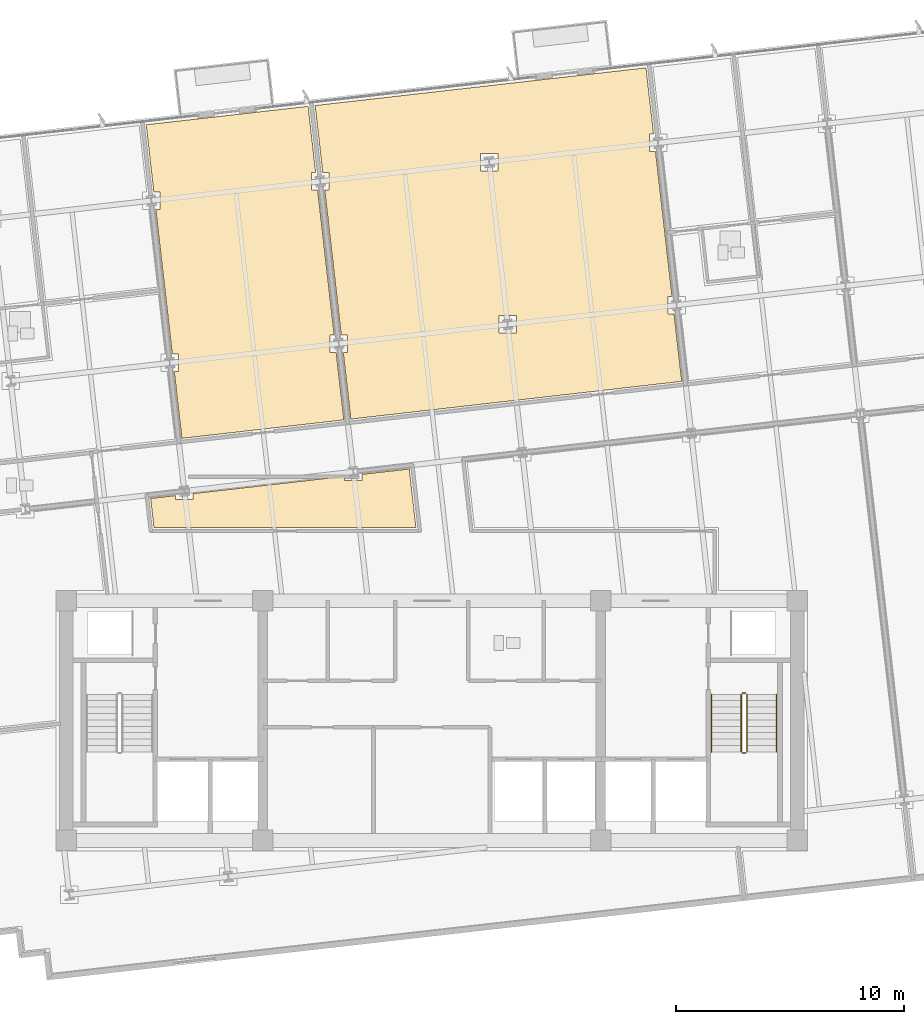
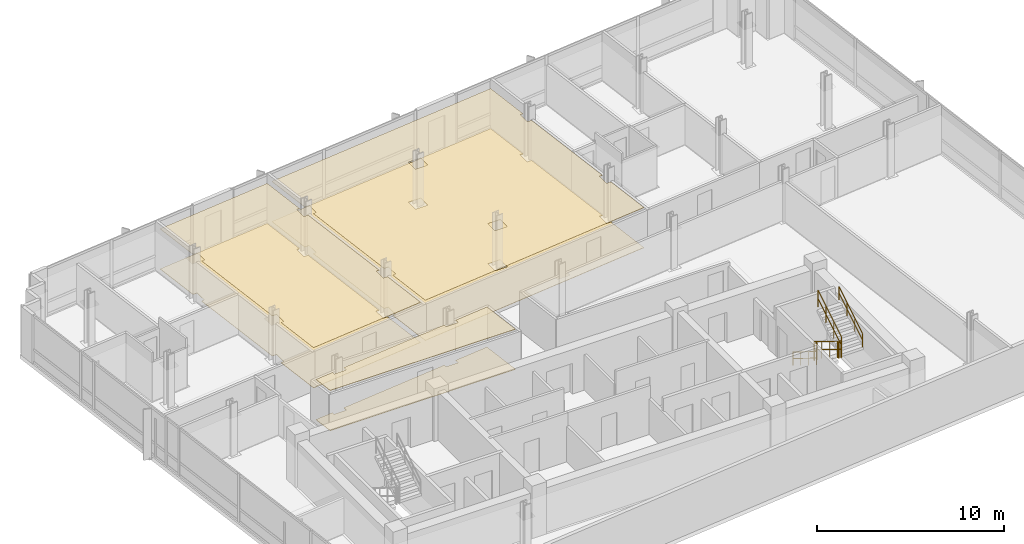
# One storey, part 13 of 15: 6 coverings, 6 railings.
"""IFC4 building model written with IfcOpenShell, lengths in metres."""

from ifc_helpers import new_model, si_unit, direction, frame, origin, origin_2d, place, context, subcontext, project, spatial, polyline, circle, outline, extrude, material, layer, layer_set, type_object, element, save


model = new_model("IFC4")

# Units and contexts
model_context = context("Model", 3, precision=1e-05, world=origin(), true_north=direction((0.0, 1.0)))
body_context = subcontext(model_context, "Body", "Model", "MODEL_VIEW")
ifc_project = project(units=[si_unit("LENGTHUNIT", "METRE"), si_unit("AREAUNIT", "SQUARE_METRE"), si_unit("VOLUMEUNIT", "CUBIC_METRE"), si_unit("PLANEANGLEUNIT", "RADIAN"), si_unit("MASSUNIT", "GRAM", prefix="KILO")], contexts=[model_context])

# Site, building, storey
site_placement = place(None, origin())
site = spatial("IfcSite", under=ifc_project, at=site_placement, CompositionType="ELEMENT")
building_placement = place(site_placement, origin())
building = spatial("IfcBuilding", under=site, at=building_placement, Name="Solmavex Isthmus Hotel", CompositionType="ELEMENT")
storey_placement = place(building_placement, frame((0.0, 0.0, 226.199951171875)))
storey = spatial("IfcBuildingStorey", under=building, at=storey_placement, Name="L61", CompositionType="ELEMENT", Elevation=226.199951171875)

# Coverings
ifc_material_1 = material(Name="Gypsum plasterboard lining", Category="gypsum")
ifc_layer_1 = layer(ifc_material_1, 0.030029296875)
ifc_layer_set_1 = layer_set([ifc_layer_1], Name="Gypsum plasterboard lining")
covering_type_1 = type_object("IfcCoveringType", Name="COV-CEIL-GYP", PredefinedType="CEILING", material=ifc_layer_set_1)
covering_1_placement = place(storey_placement, frame((0.0, 0.0, 2.6201171875)))
element("IfcCovering", 1, at=covering_1_placement, inside=storey, type_object=covering_type_1, Name="Suspended Acoustic Ceiling L61-RM02", PredefinedType="CEILING", context=body_context, shape_type="SweptSolid", body=[
    extrude(outline(polyline([(-11.360595703125, 8.29248046875), (-11.09326171875, 8.29248046875), (-11.09326171875, 7.532470703125), (-11.274169921875, 7.532470703125), (-10.94091796875, 4.6083984375), (-3.850830078125, 5.416259765625), (-4.18798828125, 8.375244140625), (-4.455322265625, 8.375244140625), (-4.455322265625, 9.13525390625), (-4.2744140625, 9.13525390625), (-4.99755859375, 15.481201171875), (-5.264892578125, 15.481201171875), (-5.264892578125, 16.2412109375), (-5.084228515625, 16.2412109375), (-5.415283203125, 19.1474609375), (-12.50537109375, 18.339599609375), (-12.17041015625, 15.3984375), (-11.903076171875, 15.3984375), (-11.903076171875, 14.638427734375), (-12.083740234375, 14.638427734375), (-11.763916015625, 11.832275390625), (-11.360595703125, 8.29248046875)])), origin(), (0.0, 0.0, 1.0), 0.030029296875),
])
covering_2_placement = place(storey_placement, frame((0.0, 0.0, 2.6201171875)))
element("IfcCovering", 2, at=covering_2_placement, inside=storey, type_object=covering_type_1, Name="Suspended Acoustic Ceiling L61-RM03", PredefinedType="CEILING", context=body_context, shape_type="SweptSolid", body=[
    extrude(outline(polyline([(-3.962646484375, 9.13525390625), (-3.6953125, 9.13525390625), (-3.6953125, 8.375244140625), (-3.8759765625, 8.375244140625), (-3.542724609375, 5.451416015625), (10.945556640625, 7.10205078125), (10.6083984375, 10.06103515625), (10.341064453125, 10.06103515625), (10.341064453125, 10.821044921875), (10.521728515625, 10.821044921875), (9.798583984375, 17.167236328125), (9.531494140625, 17.167236328125), (9.531494140625, 17.92724609375), (9.712158203125, 17.92724609375), (9.381103515625, 20.833251953125), (-5.107177734375, 19.182373046875), (-4.772216796875, 16.2412109375), (-4.5048828125, 16.2412109375), (-4.5048828125, 15.481201171875), (-4.685546875, 15.481201171875), (-3.962646484375, 9.13525390625)]), holes=[polyline([(2.94287109375, 9.21826171875), (2.94287109375, 9.978271484375), (3.702880859375, 9.978271484375), (3.702880859375, 9.21826171875), (2.94287109375, 9.21826171875)]), polyline([(2.13330078125, 16.32421875), (2.13330078125, 17.084228515625), (2.893310546875, 17.084228515625), (2.893310546875, 16.32421875), (2.13330078125, 16.32421875)])]), origin(), (0.0, 0.0, 1.0), 0.030029296875),
])
covering_3_placement = place(storey_placement, frame((0.0, 0.0, 2.6201171875)))
element("IfcCovering", 3, at=covering_3_placement, inside=storey, type_object=covering_type_1, Name="Suspended Acoustic Ceiling L61-FL08", PredefinedType="CEILING", context=body_context, shape_type="SweptSolid", body=[
    extrude(outline(polyline([(-10.4541015625, 2.18798828125), (-10.4541015625, 1.920654296875), (-11.214111328125, 1.920654296875), (-11.214111328125, 2.101318359375), (-12.309814453125, 1.9765625), (-12.1650390625, 0.705078125), (-0.694091796875, 0.705078125), (-0.986083984375, 3.2666015625), (-3.055908203125, 3.03076171875), (-3.055908203125, 2.763671875), (-3.81591796875, 2.763671875), (-3.81591796875, 2.9443359375), (-10.4541015625, 2.18798828125)])), origin(), (0.0, 0.0, 1.0), 0.030029296875),
])
ifc_material_2 = material(Name="Travertine natural stone", Category="masonry")
ifc_layer_2 = layer(ifc_material_2, 0.02490234375)
ifc_layer_set_2 = layer_set([ifc_layer_2], Name="Travertine natural stone")
covering_type_2 = type_object("IfcCoveringType", Name="COV-FLOR-STN", PredefinedType="FLOORING", material=ifc_layer_set_2)
covering_4_placement = place(storey_placement, origin())
element("IfcCovering", 4, at=covering_4_placement, inside=storey, type_object=covering_type_2, Name="Stone and Timber Floor Finish L61-RM02", PredefinedType="FLOORING", context=body_context, shape_type="SweptSolid", body=[
    extrude(outline(polyline([(-11.360595703125, 8.29248046875), (-11.09326171875, 8.29248046875), (-11.09326171875, 7.532470703125), (-11.274169921875, 7.532470703125), (-10.94091796875, 4.6083984375), (-3.850830078125, 5.416259765625), (-4.18798828125, 8.375244140625), (-4.455322265625, 8.375244140625), (-4.455322265625, 9.13525390625), (-4.2744140625, 9.13525390625), (-4.99755859375, 15.481201171875), (-5.264892578125, 15.481201171875), (-5.264892578125, 16.2412109375), (-5.084228515625, 16.2412109375), (-5.415283203125, 19.1474609375), (-12.50537109375, 18.339599609375), (-12.17041015625, 15.3984375), (-11.903076171875, 15.3984375), (-11.903076171875, 14.638427734375), (-12.083740234375, 14.638427734375), (-11.763916015625, 11.832275390625), (-11.360595703125, 8.29248046875)])), origin(), (0.0, 0.0, 1.0), 0.025146484375),
])
covering_5_placement = place(storey_placement, origin())
element("IfcCovering", 5, at=covering_5_placement, inside=storey, type_object=covering_type_2, Name="Stone and Timber Floor Finish L61-RM03", PredefinedType="FLOORING", context=body_context, shape_type="SweptSolid", body=[
    extrude(outline(polyline([(-3.962646484375, 9.13525390625), (-3.6953125, 9.13525390625), (-3.6953125, 8.375244140625), (-3.8759765625, 8.375244140625), (-3.542724609375, 5.451416015625), (10.945556640625, 7.10205078125), (10.6083984375, 10.06103515625), (10.341064453125, 10.06103515625), (10.341064453125, 10.821044921875), (10.521728515625, 10.821044921875), (9.798583984375, 17.167236328125), (9.531494140625, 17.167236328125), (9.531494140625, 17.92724609375), (9.712158203125, 17.92724609375), (9.381103515625, 20.833251953125), (-5.107177734375, 19.182373046875), (-4.772216796875, 16.2412109375), (-4.5048828125, 16.2412109375), (-4.5048828125, 15.481201171875), (-4.685546875, 15.481201171875), (-3.962646484375, 9.13525390625)]), holes=[polyline([(2.94287109375, 9.21826171875), (2.94287109375, 9.978271484375), (3.702880859375, 9.978271484375), (3.702880859375, 9.21826171875), (2.94287109375, 9.21826171875)]), polyline([(2.13330078125, 16.32421875), (2.13330078125, 17.084228515625), (2.893310546875, 17.084228515625), (2.893310546875, 16.32421875), (2.13330078125, 16.32421875)])]), origin(), (0.0, 0.0, 1.0), 0.025146484375),
])
covering_6_placement = place(storey_placement, origin())
element("IfcCovering", 6, at=covering_6_placement, inside=storey, type_object=covering_type_2, Name="Stone and Timber Floor Finish L61-FL08", PredefinedType="FLOORING", context=body_context, shape_type="SweptSolid", body=[
    extrude(outline(polyline([(-10.4541015625, 2.18798828125), (-10.4541015625, 1.920654296875), (-11.214111328125, 1.920654296875), (-11.214111328125, 2.101318359375), (-12.309814453125, 1.9765625), (-12.1650390625, 0.705078125), (-0.694091796875, 0.705078125), (-0.986083984375, 3.2666015625), (-3.055908203125, 3.03076171875), (-3.055908203125, 2.763671875), (-3.81591796875, 2.763671875), (-3.81591796875, 2.9443359375), (-10.4541015625, 2.18798828125)])), origin(), (0.0, 0.0, 1.0), 0.025146484375),
])

# Railings
ifc_material_3 = material(Name="Stainless steel 316", Category="steel")
ifc_layer_3 = layer(ifc_material_3, 0.06005859375)
ifc_layer_set_3 = layer_set([ifc_layer_3], Name="Stainless steel 316")
railing_type_1 = type_object("IfcRailingType", Name="RAIL-STAIR-GD", PredefinedType="GUARDRAIL", material=ifc_layer_set_3)
railing_1_placement = place(storey_placement, frame((13.550048828125, -6.60009765625, 0.172607421875)))
element("IfcRailing", 7, at=railing_1_placement, inside=storey, type_object=railing_type_1, Name="L61 ST-2 stair guard 1", PredefinedType="GUARDRAIL", context=body_context, shape_type="SweptSolid", body=[
    extrude(circle(Radius=0.02392578125, at=origin_2d()), frame((0.0, 0.0, 1.09619140625), z_axis=(0.0, -0.851400495292, 0.524516154772), x_axis=(1.0, 0.0, 0.0)), (0.0, 0.0, 1.0), 2.9599609375),
    extrude(circle(Radius=0.02392578125, at=origin_2d()), frame((0.0, 0.0, 0.56005859375), z_axis=(0.0, -0.851400495292, 0.524516154772), x_axis=(1.0, 0.0, 0.0)), (0.0, 0.0, 1.0), 2.9599609375),
    extrude(circle(Radius=0.02099609375, at=origin_2d()), origin(), (0.0, 0.0, 1.0), 1.072021484375),
    extrude(circle(Radius=0.02099609375, at=origin_2d()), frame((0.0, -0.840087890625, 0.517578125)), (0.0, 0.0, 1.0), 1.072021484375),
    extrude(circle(Radius=0.02099609375, at=origin_2d()), frame((0.0, -1.679931640625, 1.034912109375)), (0.0, 0.0, 1.0), 1.072021484375),
    extrude(circle(Radius=0.02099609375, at=origin_2d()), frame((0.0, -2.52001953125, 1.552490234375)), (0.0, 0.0, 1.0), 1.072021484375),
])
railing_2_placement = place(storey_placement, frame((13.60009765625, -9.169921875, 1.72509765625)))
element("IfcRailing", 8, at=railing_2_placement, inside=storey, type_object=railing_type_1, Name="L61 ST-2 stair guard 2", PredefinedType="GUARDRAIL", context=body_context, shape_type="SweptSolid", body=[
    extrude(circle(Radius=0.02392578125, at=origin_2d()), frame((0.0, 0.0, 1.09619140625), z_axis=(1.0, 0.0, 0.0), x_axis=(0.0, 1.0, 0.0)), (0.0, 0.0, 1.0), 0.14990234375),
    extrude(circle(Radius=0.02392578125, at=origin_2d()), frame((0.0, 0.0, 0.56005859375), z_axis=(1.0, 0.0, 0.0), x_axis=(0.0, 1.0, 0.0)), (0.0, 0.0, 1.0), 0.14990234375),
    extrude(circle(Radius=0.02099609375, at=origin_2d()), origin(), (0.0, 0.0, 1.0), 1.072021484375),
    extrude(circle(Radius=0.02099609375, at=origin_2d()), frame((0.14990234375, 0.0, 0.0)), (0.0, 0.0, 1.0), 1.072021484375),
])
railing_3_placement = place(storey_placement, frame((13.800048828125, -9.1201171875, 1.8974609375)))
element("IfcRailing", 9, at=railing_3_placement, inside=storey, type_object=railing_type_1, Name="L61 ST-2 stair guard 3", PredefinedType="GUARDRAIL", context=body_context, shape_type="SweptSolid", body=[
    extrude(circle(Radius=0.02392578125, at=origin_2d()), frame((0.0, 0.0, 1.09619140625), z_axis=(0.0, 0.851400495292, 0.524516154772), x_axis=(-1.0, 0.0, 0.0)), (0.0, 0.0, 1.0), 2.9599609375),
    extrude(circle(Radius=0.02392578125, at=origin_2d()), frame((0.0, 0.0, 0.56005859375), z_axis=(0.0, 0.851400495292, 0.524516154772), x_axis=(-1.0, 0.0, 0.0)), (0.0, 0.0, 1.0), 2.9599609375),
    extrude(circle(Radius=0.02099609375, at=origin_2d()), origin(), (0.0, 0.0, 1.0), 1.072021484375),
    extrude(circle(Radius=0.02099609375, at=origin_2d()), frame((0.0, 0.840087890625, 0.517578125)), (0.0, 0.0, 1.0), 1.072021484375),
    extrude(circle(Radius=0.02099609375, at=origin_2d()), frame((0.0, 1.679931640625, 1.034912109375)), (0.0, 0.0, 1.0), 1.072021484375),
    extrude(circle(Radius=0.02099609375, at=origin_2d()), frame((0.0, 2.52001953125, 1.552490234375)), (0.0, 0.0, 1.0), 1.072021484375),
])
railing_4_placement = place(storey_placement, frame((13.60009765625, -6.550048828125, 0.0)))
element("IfcRailing", 10, at=railing_4_placement, inside=storey, type_object=railing_type_1, Name="L61 ST-2 stair guard 4", PredefinedType="GUARDRAIL", context=body_context, shape_type="SweptSolid", body=[
    extrude(circle(Radius=0.02392578125, at=origin_2d()), frame((0.0, 0.0, 1.09619140625), z_axis=(1.0, 0.0, 0.0), x_axis=(0.0, 1.0, 0.0)), (0.0, 0.0, 1.0), 0.14990234375),
    extrude(circle(Radius=0.02392578125, at=origin_2d()), frame((0.0, 0.0, 0.56005859375), z_axis=(1.0, 0.0, 0.0), x_axis=(0.0, 1.0, 0.0)), (0.0, 0.0, 1.0), 0.14990234375),
    extrude(circle(Radius=0.02099609375, at=origin_2d()), origin(), (0.0, 0.0, 1.0), 1.072021484375),
    extrude(circle(Radius=0.02099609375, at=origin_2d()), frame((0.14990234375, 0.0, 0.0)), (0.0, 0.0, 1.0), 1.072021484375),
])
ifc_layer_4 = layer(ifc_material_3, 0.050048828125)
ifc_layer_set_4 = layer_set([ifc_layer_4], Name="Stainless steel 316")
railing_type_2 = type_object("IfcRailingType", Name="RAIL-STAIR-HR", PredefinedType="HANDRAIL", material=ifc_layer_set_4)
railing_5_placement = place(storey_placement, frame((12.25, -6.60009765625, 0.172607421875)))
element("IfcRailing", 11, at=railing_5_placement, inside=storey, type_object=railing_type_2, Name="L61 ST-2 stair handrail 1", PredefinedType="HANDRAIL", context=body_context, shape_type="SweptSolid", body=[
    extrude(circle(Radius=0.02392578125, at=origin_2d()), frame((0.0, 0.0, 0.8759765625), z_axis=(0.0, -0.851400495292, 0.524516154772), x_axis=(1.0, 0.0, 0.0)), (0.0, 0.0, 1.0), 2.9599609375),
    extrude(circle(Radius=0.02392578125, at=origin_2d()), frame((0.0, 0.0, 0.449951171875), z_axis=(0.0, -0.851400495292, 0.524516154772), x_axis=(1.0, 0.0, 0.0)), (0.0, 0.0, 1.0), 2.9599609375),
    extrude(circle(Radius=0.02099609375, at=origin_2d()), origin(), (0.0, 0.0, 1.0), 0.851806640625),
    extrude(circle(Radius=0.02099609375, at=origin_2d()), frame((0.0, -0.840087890625, 0.517578125)), (0.0, 0.0, 1.0), 0.851806640625),
    extrude(circle(Radius=0.02099609375, at=origin_2d()), frame((0.0, -1.679931640625, 1.034912109375)), (0.0, 0.0, 1.0), 0.851806640625),
    extrude(circle(Radius=0.02099609375, at=origin_2d()), frame((0.0, -2.52001953125, 1.552490234375)), (0.0, 0.0, 1.0), 0.851806640625),
])
railing_6_placement = place(storey_placement, frame((15.10009765625, -9.1201171875, 1.8974609375)))
element("IfcRailing", 12, at=railing_6_placement, inside=storey, type_object=railing_type_2, Name="L61 ST-2 stair handrail 2", PredefinedType="HANDRAIL", context=body_context, shape_type="SweptSolid", body=[
    extrude(circle(Radius=0.02392578125, at=origin_2d()), frame((0.0, 0.0, 0.8759765625), z_axis=(0.0, 0.851400495292, 0.524516154772), x_axis=(-1.0, 0.0, 0.0)), (0.0, 0.0, 1.0), 2.9599609375),
    extrude(circle(Radius=0.02392578125, at=origin_2d()), frame((0.0, 0.0, 0.449951171875), z_axis=(0.0, 0.851400495292, 0.524516154772), x_axis=(-1.0, 0.0, 0.0)), (0.0, 0.0, 1.0), 2.9599609375),
    extrude(circle(Radius=0.02099609375, at=origin_2d()), origin(), (0.0, 0.0, 1.0), 0.851806640625),
    extrude(circle(Radius=0.02099609375, at=origin_2d()), frame((0.0, 0.840087890625, 0.517578125)), (0.0, 0.0, 1.0), 0.851806640625),
    extrude(circle(Radius=0.02099609375, at=origin_2d()), frame((0.0, 1.679931640625, 1.034912109375)), (0.0, 0.0, 1.0), 0.851806640625),
    extrude(circle(Radius=0.02099609375, at=origin_2d()), frame((0.0, 2.52001953125, 1.552490234375)), (0.0, 0.0, 1.0), 0.851806640625),
])

save(model, "model.ifc")
